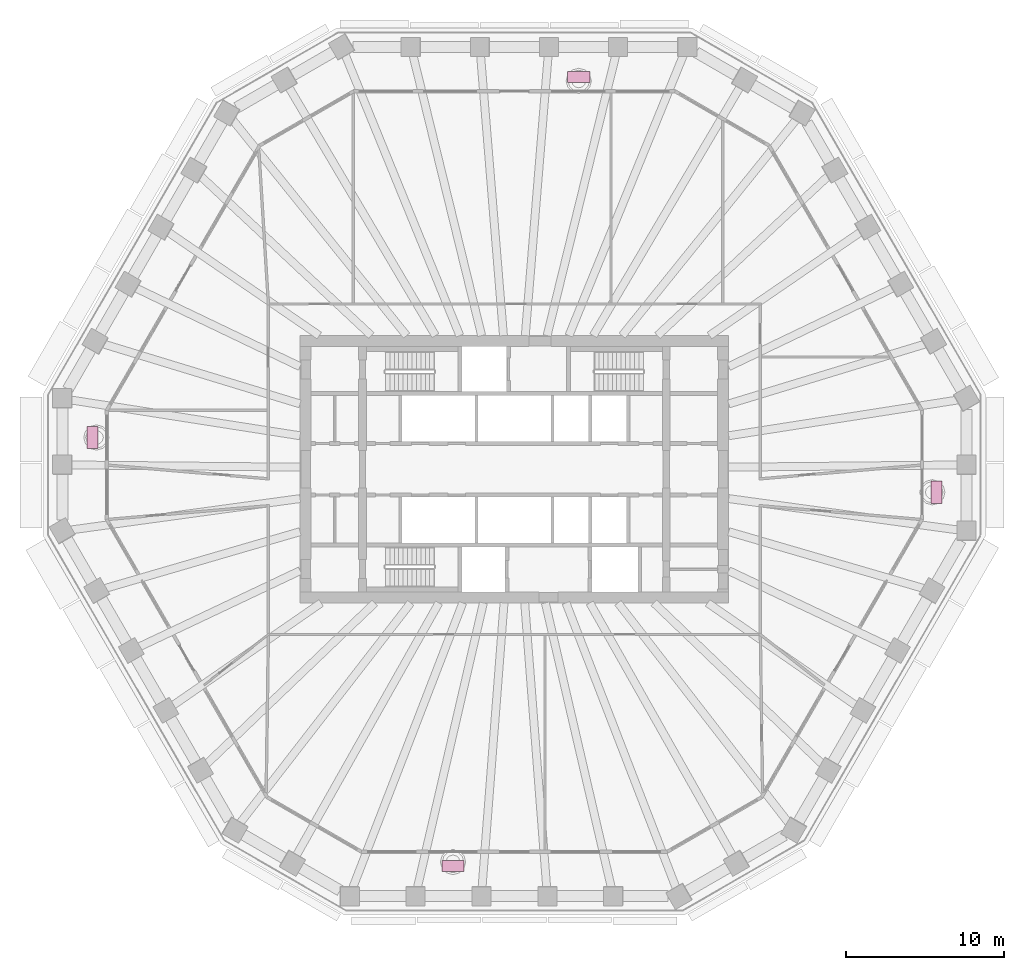
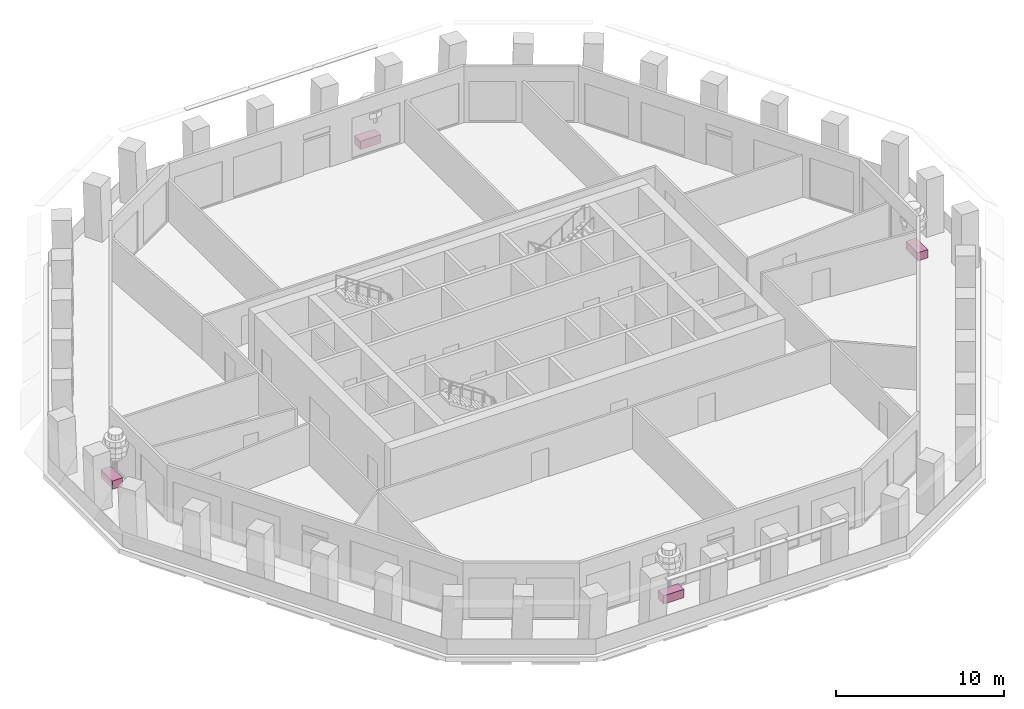
# One storey, part 11 of 12: 4 furniture elements.
"""IFC4 building model written with IfcOpenShell, lengths in metres."""

from ifc_helpers import new_model, si_unit, direction, frame, origin, origin_2d, place, context, subcontext, project, spatial, rectangle, extrude, material, type_object, element, save


model = new_model("IFC4")

# Units and contexts
model_context = context("Model", 3, precision=1e-05, world=origin(), true_north=direction((0.0, 1.0)))
body_context = subcontext(model_context, "Body", "Model", "MODEL_VIEW")
ifc_project = project(units=[si_unit("LENGTHUNIT", "METRE"), si_unit("AREAUNIT", "SQUARE_METRE"), si_unit("VOLUMEUNIT", "CUBIC_METRE"), si_unit("PLANEANGLEUNIT", "RADIAN"), si_unit("MASSUNIT", "GRAM", prefix="KILO")], contexts=[model_context])

# Site, building, storey
site_placement = place(None, origin())
site = spatial("IfcSite", under=ifc_project, at=site_placement, CompositionType="ELEMENT")
building_placement = place(site_placement, origin())
building = spatial("IfcBuilding", under=site, at=building_placement, Name="Frailejon Research Tower", CompositionType="ELEMENT")
storey_placement = place(building_placement, frame((0.0, 0.0, 154.0)))
storey = spatial("IfcBuildingStorey", under=building, at=storey_placement, Name="L33", CompositionType="ELEMENT", Elevation=154.0)

# Furniture
ifc_material = material(Name="Precast concrete C30/37 planter, terracotta", Category="masonry")
furniture_type = type_object("IfcFurnitureType", Name="Loggia planter 1400x700", AssemblyPlace="NOTDEFINED", PredefinedType="USERDEFINED", material=ifc_material)
for number, where, z_axis, x_axis, name in (
    (1, (26.672607421875, -1.45556640625, 0.0), (0.0, 0.0, 1.0), (0.0, 1.0, 0.0), "Planter L33"),
    (2, (4.0703125, 24.800048828125, 0.0), (0.0, 0.0, 1.0), (-1.0, 0.0, 0.0), "Planter L33"),
    (3, (-26.672607421875, 2.008544921875, 0.0), (0.0, 0.0, 1.0), (0.0, -1.0, 0.0), "Planter L33"),
    (4, (-3.878662109375, -25.07666015625, 0.0), (0.0, 0.0, 1.0), (1.0, 0.0, 0.0), "Planter L33"),
):
    element("IfcFurniture", number, at=place(storey_placement, frame(where, z_axis=z_axis, x_axis=x_axis)), inside=storey, type_object=furniture_type, Name=name, ObjectType="PLANTER", PredefinedType="USERDEFINED", context=body_context, shape_type="SweptSolid", body=[
        extrude(rectangle(XDim=1.39990234375, YDim=0.699951171875, at=origin_2d()), origin(), (0.0, 0.0, 1.0), 0.60009765625),
    ])

save(model, "model.ifc")
